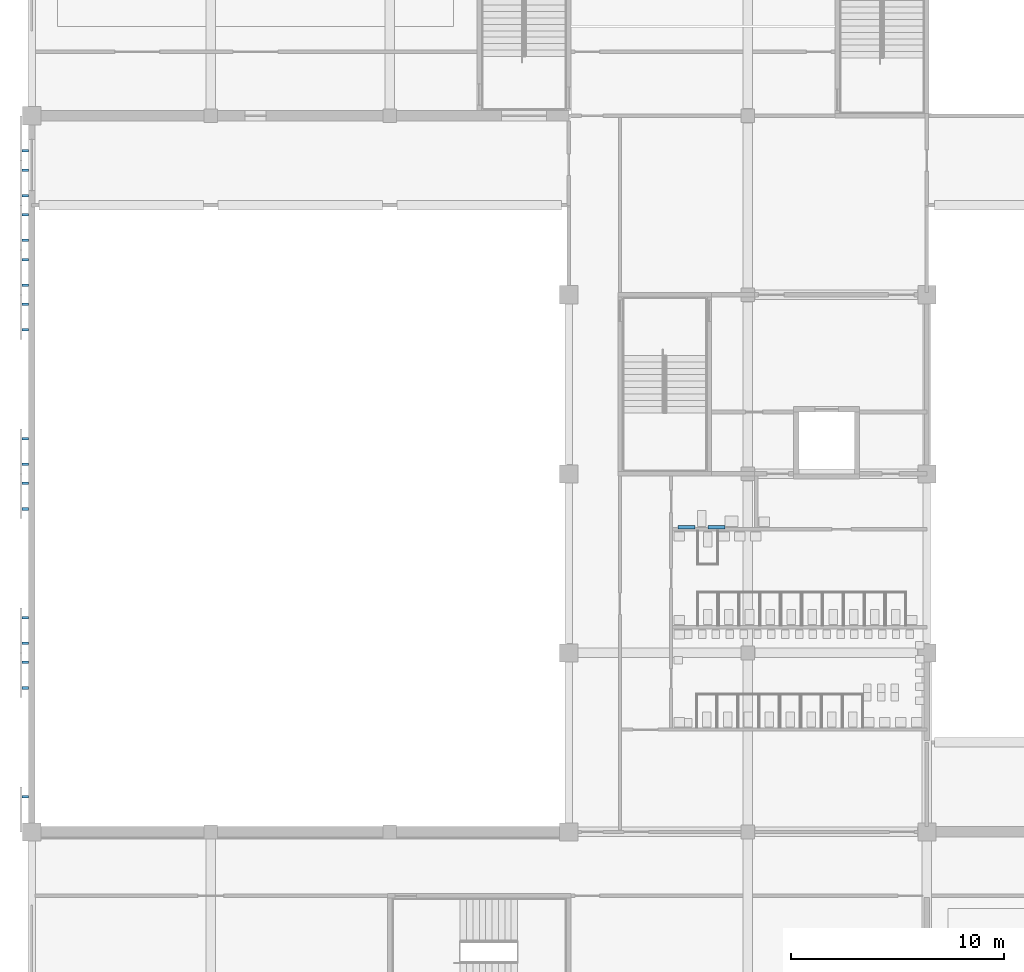
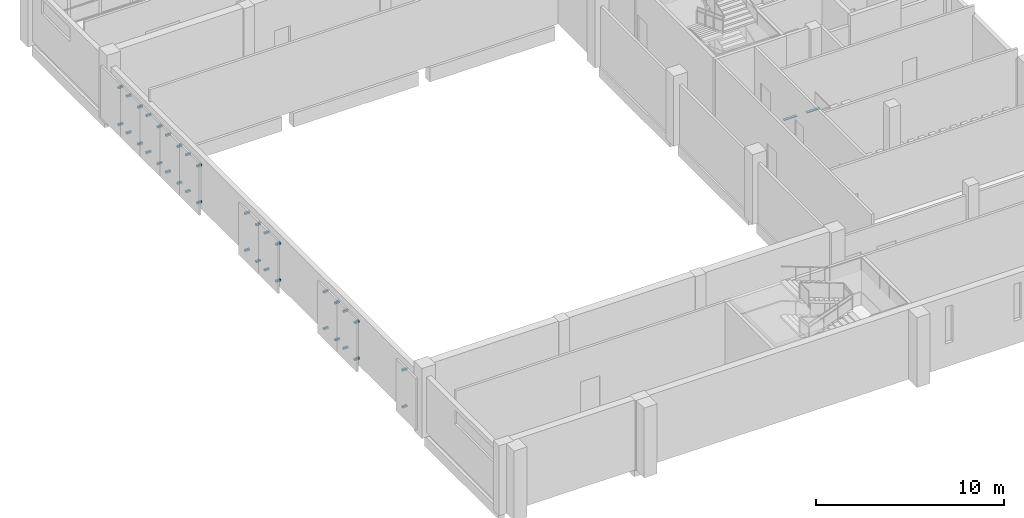
# One storey, part 38 of 64: 38 discrete accessories.
"""IFC4 building model written with IfcOpenShell, lengths in metres."""

from ifc_helpers import new_model, si_unit, direction, frame, origin, origin_2d, place, context, subcontext, project, spatial, rectangle, extrude, material, type_object, element, save


model = new_model("IFC4")

# Units and contexts
model_context = context("Model", 3, precision=1e-05, world=origin(), true_north=direction((0.0, 1.0)))
body_context = subcontext(model_context, "Body", "Model", "MODEL_VIEW")
ifc_project = project(units=[si_unit("LENGTHUNIT", "METRE"), si_unit("AREAUNIT", "SQUARE_METRE"), si_unit("VOLUMEUNIT", "CUBIC_METRE"), si_unit("PLANEANGLEUNIT", "RADIAN"), si_unit("MASSUNIT", "GRAM", prefix="KILO")], contexts=[model_context])

# Site, building, storey
site_placement = place(None, origin())
site = spatial("IfcSite", under=ifc_project, at=site_placement, CompositionType="ELEMENT")
building_placement = place(site_placement, origin())
building = spatial("IfcBuilding", under=site, at=building_placement, Name="Rulbaag Community and Learning Centre", CompositionType="ELEMENT")
storey_placement = place(building_placement, frame((0.0, 0.0, 5.39990234375)))
storey = spatial("IfcBuildingStorey", under=building, at=storey_placement, Name="L01", CompositionType="ELEMENT", Elevation=5.39990234375)

# Discrete accessories
ifc_material_1 = material(Name="Steel E350", Category="steel")
discrete_accessory_type_1 = type_object("IfcDiscreteAccessoryType", Name="BR-JS", PredefinedType="BRACKET", material=ifc_material_1)
for number, where, z_axis, x_axis, name in (
    (1, (-0.300048828125, 10.050048828125, 0.43994140625), (0.0, 0.0, 1.0), (1.0, 0.0, 0.0), "Screen bracket"),
    (2, (-0.300048828125, 10.050048828125, 2.840087890625), (0.0, 0.0, 1.0), (1.0, 0.0, 0.0), "Screen bracket"),
    (3, (-0.300048828125, 15.14990234375, 0.43994140625), (0.0, 0.0, 1.0), (1.0, 0.0, 0.0), "Screen bracket"),
    (4, (-0.300048828125, 15.14990234375, 2.840087890625), (0.0, 0.0, 1.0), (1.0, 0.0, 0.0), "Screen bracket"),
    (5, (-0.300048828125, 16.35009765625, 0.43994140625), (0.0, 0.0, 1.0), (1.0, 0.0, 0.0), "Screen bracket"),
    (6, (-0.300048828125, 16.35009765625, 2.840087890625), (0.0, 0.0, 1.0), (1.0, 0.0, 0.0), "Screen bracket"),
    (7, (-0.300048828125, 17.25, 0.43994140625), (0.0, 0.0, 1.0), (1.0, 0.0, 0.0), "Screen bracket"),
    (8, (-0.300048828125, 17.25, 2.840087890625), (0.0, 0.0, 1.0), (1.0, 0.0, 0.0), "Screen bracket"),
    (9, (-0.300048828125, 18.449951171875, 0.43994140625), (0.0, 0.0, 1.0), (1.0, 0.0, 0.0), "Screen bracket"),
    (10, (-0.300048828125, 18.449951171875, 2.840087890625), (0.0, 0.0, 1.0), (1.0, 0.0, 0.0), "Screen bracket"),
    (11, (-0.300048828125, 23.550048828125, 0.43994140625), (0.0, 0.0, 1.0), (1.0, 0.0, 0.0), "Screen bracket"),
    (12, (-0.300048828125, 23.550048828125, 2.840087890625), (0.0, 0.0, 1.0), (1.0, 0.0, 0.0), "Screen bracket"),
    (13, (-0.300048828125, 24.75, 0.43994140625), (0.0, 0.0, 1.0), (1.0, 0.0, 0.0), "Screen bracket"),
    (14, (-0.300048828125, 24.75, 2.840087890625), (0.0, 0.0, 1.0), (1.0, 0.0, 0.0), "Screen bracket"),
    (15, (-0.300048828125, 25.64990234375, 0.43994140625), (0.0, 0.0, 1.0), (1.0, 0.0, 0.0), "Screen bracket"),
    (16, (-0.300048828125, 25.64990234375, 2.840087890625), (0.0, 0.0, 1.0), (1.0, 0.0, 0.0), "Screen bracket"),
    (17, (-0.300048828125, 26.85009765625, 0.43994140625), (0.0, 0.0, 1.0), (1.0, 0.0, 0.0), "Screen bracket"),
    (18, (-0.300048828125, 26.85009765625, 2.840087890625), (0.0, 0.0, 1.0), (1.0, 0.0, 0.0), "Screen bracket"),
    (19, (-0.300048828125, 31.949951171875, 0.43994140625), (0.0, 0.0, 1.0), (1.0, 0.0, 0.0), "Screen bracket"),
    (20, (-0.300048828125, 31.949951171875, 2.840087890625), (0.0, 0.0, 1.0), (1.0, 0.0, 0.0), "Screen bracket"),
    (21, (-0.300048828125, 33.14990234375, 0.43994140625), (0.0, 0.0, 1.0), (1.0, 0.0, 0.0), "Screen bracket"),
    (22, (-0.300048828125, 33.14990234375, 2.840087890625), (0.0, 0.0, 1.0), (1.0, 0.0, 0.0), "Screen bracket"),
    (23, (-0.300048828125, 34.050048828125, 0.43994140625), (0.0, 0.0, 1.0), (1.0, 0.0, 0.0), "Screen bracket"),
    (24, (-0.300048828125, 34.050048828125, 2.840087890625), (0.0, 0.0, 1.0), (1.0, 0.0, 0.0), "Screen bracket"),
    (25, (-0.300048828125, 35.25, 0.43994140625), (0.0, 0.0, 1.0), (1.0, 0.0, 0.0), "Screen bracket"),
    (26, (-0.300048828125, 35.25, 2.840087890625), (0.0, 0.0, 1.0), (1.0, 0.0, 0.0), "Screen bracket"),
    (27, (-0.300048828125, 36.14990234375, 0.43994140625), (0.0, 0.0, 1.0), (1.0, 0.0, 0.0), "Screen bracket"),
    (28, (-0.300048828125, 36.14990234375, 2.840087890625), (0.0, 0.0, 1.0), (1.0, 0.0, 0.0), "Screen bracket"),
    (29, (-0.300048828125, 37.35009765625, 0.43994140625), (0.0, 0.0, 1.0), (1.0, 0.0, 0.0), "Screen bracket"),
    (30, (-0.300048828125, 37.35009765625, 2.840087890625), (0.0, 0.0, 1.0), (1.0, 0.0, 0.0), "Screen bracket"),
    (31, (-0.300048828125, 38.25, 0.43994140625), (0.0, 0.0, 1.0), (1.0, 0.0, 0.0), "Screen bracket"),
    (32, (-0.300048828125, 38.25, 2.840087890625), (0.0, 0.0, 1.0), (1.0, 0.0, 0.0), "Screen bracket"),
    (33, (-0.300048828125, 39.449951171875, 0.43994140625), (0.0, 0.0, 1.0), (1.0, 0.0, 0.0), "Screen bracket"),
    (34, (-0.300048828125, 39.449951171875, 2.840087890625), (0.0, 0.0, 1.0), (1.0, 0.0, 0.0), "Screen bracket"),
    (35, (-0.300048828125, 40.35009765625, 0.43994140625), (0.0, 0.0, 1.0), (1.0, 0.0, 0.0), "Screen bracket"),
    (36, (-0.300048828125, 40.35009765625, 2.840087890625), (0.0, 0.0, 1.0), (1.0, 0.0, 0.0), "Screen bracket"),
):
    element("IfcDiscreteAccessory", number, at=place(storey_placement, frame(where, z_axis=z_axis, x_axis=x_axis)), inside=storey, type_object=discrete_accessory_type_1, Name=name, PredefinedType="BRACKET", context=body_context, shape_type="SweptSolid", body=[
        extrude(rectangle(XDim=0.300048828125, YDim=0.1201171875, at=origin_2d()), origin(), (0.0, 0.0, 1.0), 0.1201171875),
    ])
ifc_material_2 = material(Name="Stainless steel grade 316", Category="steel")
discrete_accessory_type_2 = type_object("IfcDiscreteAccessoryType", Name="GR-800", PredefinedType="USERDEFINED", material=ifc_material_2)
for number, where, z_axis, x_axis, name in (
    (37, (30.72998046875, 22.68505859375, 0.72998046875), (0.0, 0.0, 1.0), (1.0, 0.0, 0.0), "Grab rail"),
    (38, (32.1298828125, 22.68505859375, 0.72998046875), (0.0, 0.0, 1.0), (1.0, 0.0, 0.0), "Grab rail"),
):
    element("IfcDiscreteAccessory", number, at=place(storey_placement, frame(where, z_axis=z_axis, x_axis=x_axis)), inside=storey, type_object=discrete_accessory_type_2, Name=name, ObjectType="GRAB RAIL", PredefinedType="USERDEFINED", context=body_context, shape_type="SweptSolid", body=[
        extrude(rectangle(XDim=0.800048828125, YDim=0.169921875, at=origin_2d()), origin(), (0.0, 0.0, 1.0), 0.0400390625),
    ])

save(model, "model.ifc")
